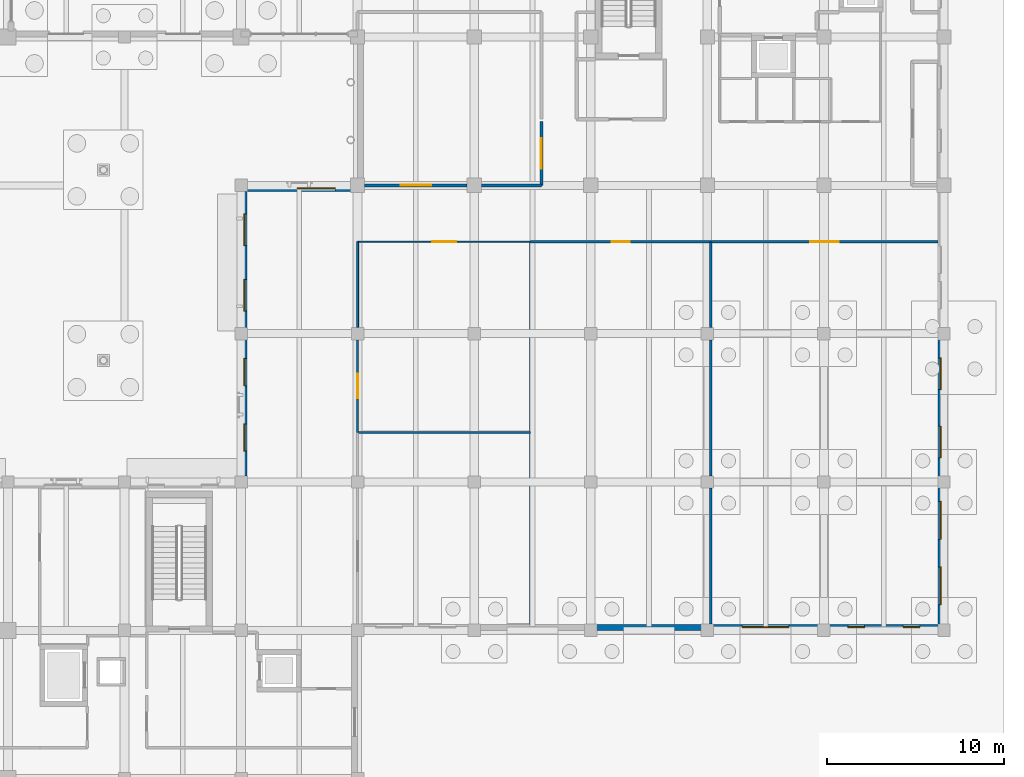
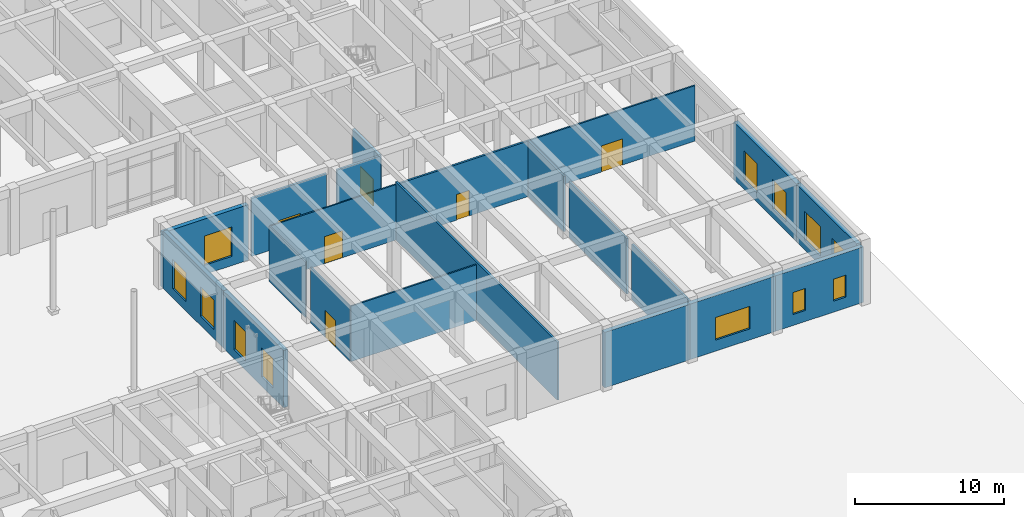
# One storey, part 60 of 82: 21 walls, 12 windows, 6 doors, 18 openings.
"""IFC4 building model written with IfcOpenShell, lengths in metres."""

from ifc_helpers import new_model, si_unit, direction, frame, frame_2d, origin, place, context, subcontext, project, spatial, rectangle, extrude, material, layer, layer_set, type_object, element, fill, save


model = new_model("IFC4")

# Units and contexts
model_context = context("Model", 3, precision=1e-05, world=origin(), true_north=direction((0.0, 1.0)))
body_context = subcontext(model_context, "Body", "Model", "MODEL_VIEW")
ifc_project = project(units=[si_unit("LENGTHUNIT", "METRE"), si_unit("AREAUNIT", "SQUARE_METRE"), si_unit("VOLUMEUNIT", "CUBIC_METRE"), si_unit("PLANEANGLEUNIT", "RADIAN"), si_unit("MASSUNIT", "GRAM", prefix="KILO")], contexts=[model_context])

# Site, building, storey
site_placement = place(None, origin())
site = spatial("IfcSite", under=ifc_project, at=site_placement, CompositionType="ELEMENT")
building_placement = place(site_placement, origin())
building = spatial("IfcBuilding", under=site, at=building_placement, Name="Kolvaren Faculty of Natural Sciences", CompositionType="ELEMENT")
storey_placement = place(building_placement, origin())
storey = spatial("IfcBuildingStorey", under=building, at=storey_placement, Name="L00", CompositionType="ELEMENT", Elevation=0.0)

# Wall, openings, windows
ifc_material_1 = material(Name="Sandstone-faced insulated cavity masonry", Category="masonry")
ifc_layer_1 = layer(ifc_material_1, 0.340087890625)
ifc_layer_set_1 = layer_set([ifc_layer_1], Name="Sandstone-faced insulated cavity masonry")
wall_type_1 = type_object("IfcWallType", Name="ExteriorCavityWall_340", PredefinedType="STANDARD", material=ifc_layer_set_1)
wall_1_placement = place(storey_placement, frame((132.3701171875, 42.5400390625, 0.0), z_axis=(0.0, 0.0, 1.0), x_axis=(0.0, 1.0, 0.0)))
wall_1 = element("IfcWall", 1, at=wall_1_placement, inside=storey, type_object=wall_type_1, Name="L00 exterior masonry wall EW-340 (87)", PredefinedType="STANDARD", context=body_context, shape_type="SweptSolid", body=[
    extrude(rectangle(XDim=8.06005859375, YDim=0.340087890625, at=frame_2d((4.030029296875, 0.0))), origin(), (0.0, 0.0, 1.0), 4.68505859375),
])
opening_1_placement = place(wall_1_placement, frame((1.401123046875, 0.0, 0.75)))
opening_1 = element("IfcOpeningElement", 2, at=opening_1_placement, cuts=wall_1, Name="Opening WIN-20", PredefinedType="OPENING", context=body_context, shape_type="SweptSolid", body=[
    extrude(rectangle(XDim=1.550048828125, YDim=2.39990234375, at=frame_2d((0.77490234375, 1.199951171875))), frame((0.0, 0.179931640625, 0.0), z_axis=(0.0, -1.0, 0.0), x_axis=(1.0, 0.0, 0.0)), (0.0, 0.0, 1.0), 0.360107421875),
])
opening_2_placement = place(wall_1_placement, frame((5.10888671875, 0.0, 0.75)))
opening_2 = element("IfcOpeningElement", 3, at=opening_2_placement, cuts=wall_1, Name="Opening WIN-20", PredefinedType="OPENING", context=body_context, shape_type="SweptSolid", body=[
    extrude(rectangle(XDim=1.550048828125, YDim=2.39990234375, at=frame_2d((0.77490234375, 1.199951171875))), frame((0.0, 0.179931640625, 0.0), z_axis=(0.0, -1.0, 0.0), x_axis=(1.0, 0.0, 0.0)), (0.0, 0.0, 1.0), 0.360107421875),
])
ifc_material_2 = material(Name="Double low-E solar control insulated glazing", Category="glass")
window_type_1 = type_object("IfcWindowType", Name="AluWindow_WIN20_1550x2400", PartitioningType="SINGLE_PANEL", PredefinedType="WINDOW", material=ifc_material_2)
window_1_placement = place(opening_1_placement, origin())
window_1 = element("IfcWindow", 4, at=window_1_placement, inside=storey, type_object=window_type_1, Name="WIN-L00-0080", OverallHeight=2.39990234375, OverallWidth=1.550048828125, PartitioningType="SINGLE_PANEL", PredefinedType="WINDOW", context=body_context, shape_type="SweptSolid", body=[
    extrude(rectangle(XDim=1.550048828125, YDim=2.39990234375, at=frame_2d((0.77490234375, 1.199951171875))), frame((0.0, 0.030029296875, 0.0), z_axis=(0.0, -1.0, 0.0), x_axis=(1.0, 0.0, 0.0)), (0.0, 0.0, 1.0), 0.06005859375),
])
fill(opening_1, window_1)
window_2_placement = place(opening_2_placement, origin())
window_2 = element("IfcWindow", 5, at=window_2_placement, inside=storey, type_object=window_type_1, Name="WIN-L00-0081", OverallHeight=2.39990234375, OverallWidth=1.550048828125, PartitioningType="SINGLE_PANEL", PredefinedType="WINDOW", context=body_context, shape_type="SweptSolid", body=[
    extrude(rectangle(XDim=1.550048828125, YDim=2.39990234375, at=frame_2d((0.77490234375, 1.199951171875))), frame((0.0, 0.030029296875, 0.0), z_axis=(0.0, -1.0, 0.0), x_axis=(1.0, 0.0, 0.0)), (0.0, 0.0, 1.0), 0.06005859375),
])
fill(opening_2, window_2)

wall_2_placement = place(storey_placement, frame((132.3701171875, 50.60009765625, 0.0), z_axis=(0.0, 0.0, 1.0), x_axis=(0.0, 1.0, 0.0)))
wall_2 = element("IfcWall", 6, at=wall_2_placement, inside=storey, type_object=wall_type_1, Name="L00 exterior masonry wall EW-340 (88)", PredefinedType="STANDARD", context=body_context, shape_type="SweptSolid", body=[
    extrude(rectangle(XDim=8.059814453125, YDim=0.340087890625, at=frame_2d((4.02978515625, 0.0))), origin(), (0.0, 0.0, 1.0), 4.68505859375),
])
opening_3_placement = place(wall_2_placement, frame((1.276123046875, 0.0, 0.75)))
opening_3 = element("IfcOpeningElement", 7, at=opening_3_placement, cuts=wall_2, Name="Opening WIN-21", PredefinedType="OPENING", context=body_context, shape_type="SweptSolid", body=[
    extrude(rectangle(XDim=1.800048828125, YDim=2.39990234375, at=frame_2d((0.89990234375, 1.199951171875))), frame((0.0, 0.179931640625, 0.0), z_axis=(0.0, -1.0, 0.0), x_axis=(1.0, 0.0, 0.0)), (0.0, 0.0, 1.0), 0.360107421875),
])
opening_4_placement = place(wall_2_placement, frame((4.98388671875, 0.0, 0.75)))
opening_4 = element("IfcOpeningElement", 8, at=opening_4_placement, cuts=wall_2, Name="Opening WIN-21", PredefinedType="OPENING", context=body_context, shape_type="SweptSolid", body=[
    extrude(rectangle(XDim=1.800048828125, YDim=2.39990234375, at=frame_2d((0.89990234375, 1.199951171875))), frame((0.0, 0.179931640625, 0.0), z_axis=(0.0, -1.0, 0.0), x_axis=(1.0, 0.0, 0.0)), (0.0, 0.0, 1.0), 0.360107421875),
])
window_type_2 = type_object("IfcWindowType", Name="AluWindow_WIN21_1800x2400", PartitioningType="SINGLE_PANEL", PredefinedType="WINDOW", material=ifc_material_2)
window_3_placement = place(opening_3_placement, origin())
window_3 = element("IfcWindow", 9, at=window_3_placement, inside=storey, type_object=window_type_2, Name="WIN-L00-0082", OverallHeight=2.39990234375, OverallWidth=1.800048828125, PartitioningType="SINGLE_PANEL", PredefinedType="WINDOW", context=body_context, shape_type="SweptSolid", body=[
    extrude(rectangle(XDim=1.800048828125, YDim=2.39990234375, at=frame_2d((0.89990234375, 1.199951171875))), frame((0.0, 0.030029296875, 0.0), z_axis=(0.0, -1.0, 0.0), x_axis=(1.0, 0.0, 0.0)), (0.0, 0.0, 1.0), 0.06005859375),
])
fill(opening_3, window_3)
window_4_placement = place(opening_4_placement, origin())
window_4 = element("IfcWindow", 10, at=window_4_placement, inside=storey, type_object=window_type_2, Name="WIN-L00-0083", OverallHeight=2.39990234375, OverallWidth=1.800048828125, PartitioningType="SINGLE_PANEL", PredefinedType="WINDOW", context=body_context, shape_type="SweptSolid", body=[
    extrude(rectangle(XDim=1.800048828125, YDim=2.39990234375, at=frame_2d((0.89990234375, 1.199951171875))), frame((0.0, 0.030029296875, 0.0), z_axis=(0.0, -1.0, 0.0), x_axis=(1.0, 0.0, 0.0)), (0.0, 0.0, 1.0), 0.06005859375),
])
fill(opening_4, window_4)

# Wall, opening, window
wall_3_placement = place(storey_placement, frame((132.199951171875, 58.830078125, 0.0), z_axis=(0.0, 0.0, 1.0), x_axis=(1.0, 0.0, 0.0)))
wall_3 = element("IfcWall", 11, at=wall_3_placement, inside=storey, type_object=wall_type_1, Name="L00 exterior masonry wall EW-340 (89)", PredefinedType="STANDARD", context=body_context, shape_type="SweptSolid", body=[
    extrude(rectangle(XDim=6.60009765625, YDim=0.340087890625, at=frame_2d((3.300048828125, 0.0))), origin(), (0.0, 0.0, 1.0), 4.534912109375),
])
opening_5_placement = place(wall_3_placement, frame((3.18994140625, 0.0, 0.75)))
opening_5 = element("IfcOpeningElement", 12, at=opening_5_placement, cuts=wall_3, Name="Opening WIN-22", PredefinedType="OPENING", context=body_context, shape_type="SweptSolid", body=[
    extrude(rectangle(XDim=2.14990234375, YDim=2.39990234375, at=frame_2d((1.074951171875, 1.199951171875))), frame((0.0, 0.179931640625, 0.0), z_axis=(0.0, -1.0, 0.0), x_axis=(1.0, 0.0, 0.0)), (0.0, 0.0, 1.0), 0.360107421875),
])
window_type_3 = type_object("IfcWindowType", Name="AluWindow_WIN22_2150x2400", PartitioningType="SINGLE_PANEL", PredefinedType="WINDOW", material=ifc_material_2)
window_5_placement = place(opening_5_placement, origin())
window_5 = element("IfcWindow", 13, at=window_5_placement, inside=storey, type_object=window_type_3, Name="WIN-L00-0084", OverallHeight=2.39990234375, OverallWidth=2.14990234375, PartitioningType="SINGLE_PANEL", PredefinedType="WINDOW", context=body_context, shape_type="SweptSolid", body=[
    extrude(rectangle(XDim=2.14990234375, YDim=2.39990234375, at=frame_2d((1.074951171875, 1.199951171875))), frame((0.0, 0.030029296875, 0.0), z_axis=(0.0, -1.0, 0.0), x_axis=(1.0, 0.0, 0.0)), (0.0, 0.0, 1.0), 0.06005859375),
])
fill(opening_5, window_5)

# Wall, openings, windows
wall_4_placement = place(storey_placement, frame((171.830078125, 50.60009765625, 0.0), z_axis=(0.0, 0.0, 1.0), x_axis=(0.0, -1.0, 0.0)))
wall_4 = element("IfcWall", 14, at=wall_4_placement, inside=storey, type_object=wall_type_1, Name="L00 exterior masonry wall EW-340 (122)", PredefinedType="STANDARD", context=body_context, shape_type="SweptSolid", body=[
    extrude(rectangle(XDim=8.400146484375, YDim=0.340087890625, at=frame_2d((4.2001953125, 0.0))), origin(), (0.0, 0.0, 1.0), 4.68505859375),
])
opening_6_placement = place(wall_4_placement, frame((1.367919921875, 0.0, 0.75)))
opening_6 = element("IfcOpeningElement", 15, at=opening_6_placement, cuts=wall_4, Name="Opening WIN-21", PredefinedType="OPENING", context=body_context, shape_type="SweptSolid", body=[
    extrude(rectangle(XDim=1.800048828125, YDim=2.39990234375, at=frame_2d((0.89990234375, 1.199951171875))), frame((0.0, 0.179931640625, 0.0), z_axis=(0.0, -1.0, 0.0), x_axis=(1.0, 0.0, 0.0)), (0.0, 0.0, 1.0), 0.360107421875),
])
opening_7_placement = place(wall_4_placement, frame((5.23193359375, 0.0, 0.75)))
opening_7 = element("IfcOpeningElement", 16, at=opening_7_placement, cuts=wall_4, Name="Opening WIN-21", PredefinedType="OPENING", context=body_context, shape_type="SweptSolid", body=[
    extrude(rectangle(XDim=1.800048828125, YDim=2.39990234375, at=frame_2d((0.89990234375, 1.199951171875))), frame((0.0, 0.179931640625, 0.0), z_axis=(0.0, -1.0, 0.0), x_axis=(1.0, 0.0, 0.0)), (0.0, 0.0, 1.0), 0.360107421875),
])
window_6_placement = place(opening_6_placement, origin())
window_6 = element("IfcWindow", 17, at=window_6_placement, inside=storey, type_object=window_type_2, Name="WIN-L00-0117", OverallHeight=2.39990234375, OverallWidth=1.800048828125, PartitioningType="SINGLE_PANEL", PredefinedType="WINDOW", context=body_context, shape_type="SweptSolid", body=[
    extrude(rectangle(XDim=1.800048828125, YDim=2.39990234375, at=frame_2d((0.89990234375, 1.199951171875))), frame((0.0, 0.030029296875, 0.0), z_axis=(0.0, -1.0, 0.0), x_axis=(1.0, 0.0, 0.0)), (0.0, 0.0, 1.0), 0.06005859375),
])
fill(opening_6, window_6)
window_7_placement = place(opening_7_placement, origin())
window_7 = element("IfcWindow", 18, at=window_7_placement, inside=storey, type_object=window_type_2, Name="WIN-L00-0118", OverallHeight=2.39990234375, OverallWidth=1.800048828125, PartitioningType="SINGLE_PANEL", PredefinedType="WINDOW", context=body_context, shape_type="SweptSolid", body=[
    extrude(rectangle(XDim=1.800048828125, YDim=2.39990234375, at=frame_2d((0.89990234375, 1.199951171875))), frame((0.0, 0.030029296875, 0.0), z_axis=(0.0, -1.0, 0.0), x_axis=(1.0, 0.0, 0.0)), (0.0, 0.0, 1.0), 0.06005859375),
])
fill(opening_7, window_7)

wall_5_placement = place(storey_placement, frame((171.830078125, 42.199951171875, 0.0), z_axis=(0.0, 0.0, 1.0), x_axis=(0.0, -1.0, 0.0)))
wall_5 = element("IfcWall", 19, at=wall_5_placement, inside=storey, type_object=wall_type_1, Name="L00 exterior masonry wall EW-340 (123)", PredefinedType="STANDARD", context=body_context, shape_type="SweptSolid", body=[
    extrude(rectangle(XDim=8.06005859375, YDim=0.340087890625, at=frame_2d((4.030029296875, 0.0))), origin(), (0.0, 0.0, 1.0), 4.68505859375),
])
opening_8_placement = place(wall_5_placement, frame((1.101318359375, 0.0, 0.75)))
opening_8 = element("IfcOpeningElement", 20, at=opening_8_placement, cuts=wall_5, Name="Opening WIN-22", PredefinedType="OPENING", context=body_context, shape_type="SweptSolid", body=[
    extrude(rectangle(XDim=2.14990234375, YDim=2.39990234375, at=frame_2d((1.074951171875, 1.199951171875))), frame((0.0, 0.179931640625, 0.0), z_axis=(0.0, -1.0, 0.0), x_axis=(1.0, 0.0, 0.0)), (0.0, 0.0, 1.0), 0.360107421875),
])
opening_9_placement = place(wall_5_placement, frame((4.808837890625, 0.0, 0.75)))
opening_9 = element("IfcOpeningElement", 21, at=opening_9_placement, cuts=wall_5, Name="Opening WIN-22", PredefinedType="OPENING", context=body_context, shape_type="SweptSolid", body=[
    extrude(rectangle(XDim=2.14990234375, YDim=2.39990234375, at=frame_2d((1.074951171875, 1.199951171875))), frame((0.0, 0.179931640625, 0.0), z_axis=(0.0, -1.0, 0.0), x_axis=(1.0, 0.0, 0.0)), (0.0, 0.0, 1.0), 0.360107421875),
])
window_8_placement = place(opening_8_placement, origin())
window_8 = element("IfcWindow", 22, at=window_8_placement, inside=storey, type_object=window_type_3, Name="WIN-L00-0119", OverallHeight=2.39990234375, OverallWidth=2.14990234375, PartitioningType="SINGLE_PANEL", PredefinedType="WINDOW", context=body_context, shape_type="SweptSolid", body=[
    extrude(rectangle(XDim=2.14990234375, YDim=2.39990234375, at=frame_2d((1.074951171875, 1.199951171875))), frame((0.0, 0.030029296875, 0.0), z_axis=(0.0, -1.0, 0.0), x_axis=(1.0, 0.0, 0.0)), (0.0, 0.0, 1.0), 0.06005859375),
])
fill(opening_8, window_8)
window_9_placement = place(opening_9_placement, origin())
window_9 = element("IfcWindow", 23, at=window_9_placement, inside=storey, type_object=window_type_3, Name="WIN-L00-0120", OverallHeight=2.39990234375, OverallWidth=2.14990234375, PartitioningType="SINGLE_PANEL", PredefinedType="WINDOW", context=body_context, shape_type="SweptSolid", body=[
    extrude(rectangle(XDim=2.14990234375, YDim=2.39990234375, at=frame_2d((1.074951171875, 1.199951171875))), frame((0.0, 0.030029296875, 0.0), z_axis=(0.0, -1.0, 0.0), x_axis=(1.0, 0.0, 0.0)), (0.0, 0.0, 1.0), 0.06005859375),
])
fill(opening_9, window_9)

wall_6_placement = place(storey_placement, frame((172.0, 33.969970703125, 0.0), z_axis=(0.0, 0.0, 1.0), x_axis=(-1.0, 0.0, 0.0)))
wall_6 = element("IfcWall", 24, at=wall_6_placement, inside=storey, type_object=wall_type_1, Name="L00 exterior masonry wall EW-340 (124)", PredefinedType="STANDARD", context=body_context, shape_type="SweptSolid", body=[
    extrude(rectangle(XDim=6.800048828125, YDim=0.340087890625, at=frame_2d((3.39990234375, 0.0))), origin(), (0.0, 0.0, 1.0), 4.534912109375),
])
opening_10_placement = place(wall_6_placement, frame((1.361083984375, 0.0, 0.89990234375)))
opening_10 = element("IfcOpeningElement", 25, at=opening_10_placement, cuts=wall_6, Name="Opening WIN-23", PredefinedType="OPENING", context=body_context, shape_type="SweptSolid", body=[
    extrude(rectangle(XDim=0.949951171875, YDim=1.800048828125, at=frame_2d((0.47509765625, 0.89990234375))), frame((0.0, 0.179931640625, 0.0), z_axis=(0.0, -1.0, 0.0), x_axis=(1.0, 0.0, 0.0)), (0.0, 0.0, 1.0), 0.360107421875),
])
opening_11_placement = place(wall_6_placement, frame((4.489013671875, 0.0, 0.89990234375)))
opening_11 = element("IfcOpeningElement", 26, at=opening_11_placement, cuts=wall_6, Name="Opening WIN-23", PredefinedType="OPENING", context=body_context, shape_type="SweptSolid", body=[
    extrude(rectangle(XDim=0.949951171875, YDim=1.800048828125, at=frame_2d((0.47509765625, 0.89990234375))), frame((0.0, 0.179931640625, 0.0), z_axis=(0.0, -1.0, 0.0), x_axis=(1.0, 0.0, 0.0)), (0.0, 0.0, 1.0), 0.360107421875),
])
window_type_4 = type_object("IfcWindowType", Name="AluWindow_WIN23_950x1800", PartitioningType="SINGLE_PANEL", PredefinedType="WINDOW", material=ifc_material_2)
window_10_placement = place(opening_10_placement, origin())
window_10 = element("IfcWindow", 27, at=window_10_placement, inside=storey, type_object=window_type_4, Name="WIN-L00-0121", OverallHeight=1.800048828125, OverallWidth=0.949951171875, PartitioningType="SINGLE_PANEL", PredefinedType="WINDOW", context=body_context, shape_type="SweptSolid", body=[
    extrude(rectangle(XDim=0.949951171875, YDim=1.800048828125, at=frame_2d((0.47509765625, 0.89990234375))), frame((0.0, 0.030029296875, 0.0), z_axis=(0.0, -1.0, 0.0), x_axis=(1.0, 0.0, 0.0)), (0.0, 0.0, 1.0), 0.06005859375),
])
fill(opening_10, window_10)
window_11_placement = place(opening_11_placement, origin())
window_11 = element("IfcWindow", 28, at=window_11_placement, inside=storey, type_object=window_type_4, Name="WIN-L00-0122", OverallHeight=1.800048828125, OverallWidth=0.949951171875, PartitioningType="SINGLE_PANEL", PredefinedType="WINDOW", context=body_context, shape_type="SweptSolid", body=[
    extrude(rectangle(XDim=0.949951171875, YDim=1.800048828125, at=frame_2d((0.47509765625, 0.89990234375))), frame((0.0, 0.030029296875, 0.0), z_axis=(0.0, -1.0, 0.0), x_axis=(1.0, 0.0, 0.0)), (0.0, 0.0, 1.0), 0.06005859375),
])
fill(opening_11, window_11)

# Wall, opening, window
wall_7_placement = place(storey_placement, frame((165.199951171875, 33.969970703125, 0.0), z_axis=(0.0, 0.0, 1.0), x_axis=(-1.0, 0.0, 0.0)))
wall_7 = element("IfcWall", 29, at=wall_7_placement, inside=storey, type_object=wall_type_1, Name="L00 exterior masonry wall EW-340 (125)", PredefinedType="STANDARD", context=body_context, shape_type="SweptSolid", body=[
    extrude(rectangle(XDim=6.599853515625, YDim=0.340087890625, at=frame_2d((3.2998046875, 0.0))), origin(), (0.0, 0.0, 1.0), 4.534912109375),
])
opening_12_placement = place(wall_7_placement, frame((1.97509765625, 0.0, 0.89990234375)))
opening_12 = element("IfcOpeningElement", 30, at=opening_12_placement, cuts=wall_7, Name="Opening WIN-24", PredefinedType="OPENING", context=body_context, shape_type="SweptSolid", body=[
    extrude(rectangle(XDim=2.64990234375, YDim=1.85009765625, at=frame_2d((1.324951171875, 0.925048828125))), frame((0.0, 0.179931640625, 0.0), z_axis=(0.0, -1.0, 0.0), x_axis=(1.0, 0.0, 0.0)), (0.0, 0.0, 1.0), 0.360107421875),
])
window_type_5 = type_object("IfcWindowType", Name="AluWindow_WIN24_2650x1850", PartitioningType="SINGLE_PANEL", PredefinedType="WINDOW", material=ifc_material_2)
window_12_placement = place(opening_12_placement, origin())
window_12 = element("IfcWindow", 31, at=window_12_placement, inside=storey, type_object=window_type_5, Name="WIN-L00-0123", OverallHeight=1.85009765625, OverallWidth=2.64990234375, PartitioningType="SINGLE_PANEL", PredefinedType="WINDOW", context=body_context, shape_type="SweptSolid", body=[
    extrude(rectangle(XDim=2.64990234375, YDim=1.85009765625, at=frame_2d((1.324951171875, 0.925048828125))), frame((0.0, 0.030029296875, 0.0), z_axis=(0.0, -1.0, 0.0), x_axis=(1.0, 0.0, 0.0)), (0.0, 0.0, 1.0), 0.06005859375),
])
fill(opening_12, window_12)

# Walls
wall_8_placement = place(storey_placement, frame((158.60009765625, 33.969970703125, 0.0), z_axis=(0.0, 0.0, 1.0), x_axis=(-1.0, 0.0, 0.0)))
element("IfcWall", 32, at=wall_8_placement, inside=storey, type_object=wall_type_1, Name="L00 exterior masonry wall EW-340 (126)", PredefinedType="STANDARD", context=body_context, shape_type="SweptSolid", body=[
    extrude(rectangle(XDim=6.60009765625, YDim=0.340087890625, at=frame_2d((3.300048828125, 0.0))), origin(), (0.0, 0.0, 1.0), 4.534912109375),
])
ifc_material_3 = material(Name="Double fire-rated gypsum board on 100 mm steel stud", Category="steel")
ifc_layer_2 = layer(ifc_material_3, 0.14990234375)
ifc_layer_set_2 = layer_set([ifc_layer_2], Name="Double fire-rated gypsum board on 100 mm steel stud")
wall_type_2 = type_object("IfcWallType", Name="RatedCorridorWall_150", PredefinedType="PARTITIONING", material=ifc_layer_set_2)
wall_9_placement = place(storey_placement, frame((158.800048828125, 55.800048828125, 0.0), z_axis=(0.0, 0.0, 1.0), x_axis=(0.0, -1.0, 0.0)))
element("IfcWall", 33, at=wall_9_placement, inside=storey, type_object=wall_type_2, Name="L00 interior partition LW-150", PredefinedType="PARTITIONING", context=body_context, shape_type="SweptSolid", body=[
    extrude(rectangle(XDim=4.85009765625, YDim=0.14990234375, at=frame_2d((2.425048828125, 0.0))), origin(), (0.0, 0.0, 1.0), 4.534912109375),
])
wall_10_placement = place(storey_placement, frame((158.800048828125, 50.25, 0.0), z_axis=(0.0, 0.0, 1.0), x_axis=(0.0, -1.0, 0.0)))
element("IfcWall", 34, at=wall_10_placement, inside=storey, type_object=wall_type_2, Name="L00 interior partition LW-150", PredefinedType="PARTITIONING", context=body_context, shape_type="SweptSolid", body=[
    extrude(rectangle(XDim=7.699951171875, YDim=0.14990234375, at=frame_2d((3.85009765625, 0.0))), origin(), (0.0, 0.0, 1.0), 4.534912109375),
])
wall_11_placement = place(storey_placement, frame((158.800048828125, 41.85009765625, 0.0), z_axis=(0.0, 0.0, 1.0), x_axis=(0.0, -1.0, 0.0)))
element("IfcWall", 35, at=wall_11_placement, inside=storey, type_object=wall_type_2, Name="L00 interior partition LW-150", PredefinedType="PARTITIONING", context=body_context, shape_type="SweptSolid", body=[
    extrude(rectangle(XDim=7.7001953125, YDim=0.14990234375, at=frame_2d((3.85009765625, 0.0))), origin(), (0.0, 0.0, 1.0), 4.534912109375),
])
wall_12_placement = place(storey_placement, frame((148.60009765625, 34.14208984375, 0.0), z_axis=(0.0, 0.0, 1.0), x_axis=(0.0, 1.0, 0.0)))
element("IfcWall", 36, at=wall_12_placement, inside=storey, type_object=wall_type_2, Name="L00 interior partition LW-150", PredefinedType="PARTITIONING", context=body_context, shape_type="SweptSolid", body=[
    extrude(rectangle(XDim=21.657958984375, YDim=0.14990234375, at=frame_2d((10.8291015625, 0.0))), origin(), (0.0, 0.0, 1.0), 4.735107421875),
])

# Wall, opening, door
wall_13_placement = place(storey_placement, frame((148.60009765625, 55.800048828125, 0.0), z_axis=(0.0, 0.0, 1.0), x_axis=(1.0, 0.0, 0.0)))
wall_13 = element("IfcWall", 37, at=wall_13_placement, inside=storey, type_object=wall_type_2, Name="L00 interior partition LW-150", PredefinedType="PARTITIONING", context=body_context, shape_type="SweptSolid", body=[
    extrude(rectangle(XDim=10.199951171875, YDim=0.14990234375, at=frame_2d((5.10009765625, 0.0))), origin(), (0.0, 0.0, 1.0), 4.534912109375),
])
opening_13_placement = place(wall_13_placement, frame((4.60009765625, 0.0, 0.0)))
opening_13 = element("IfcOpeningElement", 38, at=opening_13_placement, cuts=wall_13, Name="Opening FD30", PredefinedType="OPENING", context=body_context, shape_type="SweptSolid", body=[
    extrude(rectangle(XDim=1.0, YDim=2.10009765625, at=frame_2d((0.5, 1.050048828125))), frame((0.0, 0.0849609375, 0.0), z_axis=(0.0, -1.0, 0.0), x_axis=(1.0, 0.0, 0.0)), (0.0, 0.0, 1.0), 0.169921875),
])
ifc_material_4 = material(Name="Fire-rated solid-core hardwood door leaf in steel frame", Category="steel")
door_type_1 = type_object("IfcDoorType", Name="CorridorFireDoor_1000x2100", OperationType="NOTDEFINED", PredefinedType="DOOR", material=ifc_material_4)
door_1_placement = place(opening_13_placement, origin())
door_1 = element("IfcDoor", 39, at=door_1_placement, inside=storey, type_object=door_type_1, Name="D-L00-0036", OperationType="SINGLE_SWING_LEFT", OverallHeight=2.10009765625, OverallWidth=1.0, PredefinedType="DOOR", context=body_context, shape_type="SweptSolid", body=[
    extrude(rectangle(XDim=1.0, YDim=2.10009765625, at=frame_2d((0.5, 1.050048828125))), frame((0.0, 0.02490234375, 0.0), z_axis=(0.0, -1.0, 0.0), x_axis=(1.0, 0.0, 0.0)), (0.0, 0.0, 1.0), 0.050048828125),
])
fill(opening_13, door_1)

ifc_material_5 = material(Name="Acoustic mineral-wool insulated gypsum partition")
ifc_layer_3 = layer(ifc_material_5, 0.169921875)
ifc_layer_set_3 = layer_set([ifc_layer_3], Name="Acoustic mineral-wool insulated gypsum partition")
wall_type_3 = type_object("IfcWallType", Name="SeminarPartitionWall_170", PredefinedType="PARTITIONING", material=ifc_layer_set_3)
wall_14_placement = place(storey_placement, frame((149.199951171875, 62.60009765625, 0.0), z_axis=(0.0, 0.0, 1.0), x_axis=(0.0, -1.0, 0.0)))
wall_14 = element("IfcWall", 40, at=wall_14_placement, inside=storey, type_object=wall_type_3, Name="L00 interior partition PW-170", PredefinedType="PARTITIONING", context=body_context, shape_type="SweptSolid", body=[
    extrude(rectangle(XDim=3.60009765625, YDim=0.169921875, at=frame_2d((1.800048828125, 0.0))), origin(), (0.0, 0.0, 1.0), 4.735107421875),
])
opening_14_placement = place(wall_14_placement, frame((0.929931640625, 0.0, 0.0)))
opening_14 = element("IfcOpeningElement", 41, at=opening_14_placement, cuts=wall_14, Name="Opening ID-35", PredefinedType="OPENING", context=body_context, shape_type="SweptSolid", body=[
    extrude(rectangle(XDim=1.739990234375, YDim=2.199951171875, at=frame_2d((0.8701171875, 1.10009765625))), frame((0.0, 0.094970703125, 0.0), z_axis=(0.0, -1.0, 0.0), x_axis=(1.0, 0.0, 0.0)), (0.0, 0.0, 1.0), 0.18994140625),
])
ifc_material_6 = material(Name="Thermally broken anodised aluminium glazed door", Category="aluminium")
door_type_2 = type_object("IfcDoorType", Name="InteriorRoomDoor_1740x2200", OperationType="DOUBLE_DOOR_SINGLE_SWING", PredefinedType="DOOR", material=ifc_material_6)
door_2_placement = place(opening_14_placement, origin())
door_2 = element("IfcDoor", 42, at=door_2_placement, inside=storey, type_object=door_type_2, Name="D-L00-0099", OperationType="DOUBLE_DOOR_SINGLE_SWING", OverallHeight=2.199951171875, OverallWidth=1.739990234375, PredefinedType="DOOR", context=body_context, shape_type="SweptSolid", body=[
    extrude(rectangle(XDim=1.739990234375, YDim=2.199951171875, at=frame_2d((0.8701171875, 1.10009765625))), frame((0.0, 0.02490234375, 0.0), z_axis=(0.0, -1.0, 0.0), x_axis=(1.0, 0.0, 0.0)), (0.0, 0.0, 1.0), 0.050048828125),
])
fill(opening_14, door_2)

# Wall
wall_15_placement = place(storey_placement, frame((149.199951171875, 59.0, 0.0), z_axis=(0.0, 0.0, 1.0), x_axis=(-1.0, 0.0, 0.0)))
element("IfcWall", 43, at=wall_15_placement, inside=storey, type_object=wall_type_3, Name="L00 interior partition PW-170", PredefinedType="PARTITIONING", context=body_context, shape_type="SweptSolid", body=[
    extrude(rectangle(XDim=3.39990234375, YDim=0.169921875, at=frame_2d((1.699951171875, 0.0))), origin(), (0.0, 0.0, 1.0), 4.735107421875),
])

# Wall, opening, door
wall_16_placement = place(storey_placement, frame((145.0, 59.0, 0.0), z_axis=(0.0, 0.0, 1.0), x_axis=(-1.0, 0.0, 0.0)))
wall_16 = element("IfcWall", 44, at=wall_16_placement, inside=storey, type_object=wall_type_3, Name="L00 interior partition PW-170", PredefinedType="PARTITIONING", context=body_context, shape_type="SweptSolid", body=[
    extrude(rectangle(XDim=5.800048828125, YDim=0.169921875, at=frame_2d((2.89990234375, 0.0))), origin(), (0.0, 0.0, 1.0), 4.735107421875),
])
opening_15_placement = place(wall_16_placement, frame((2.030029296875, 0.0, 0.0)))
opening_15 = element("IfcOpeningElement", 45, at=opening_15_placement, cuts=wall_16, Name="Opening ID-35", PredefinedType="OPENING", context=body_context, shape_type="SweptSolid", body=[
    extrude(rectangle(XDim=1.739990234375, YDim=2.199951171875, at=frame_2d((0.8701171875, 1.10009765625))), frame((0.0, 0.094970703125, 0.0), z_axis=(0.0, -1.0, 0.0), x_axis=(1.0, 0.0, 0.0)), (0.0, 0.0, 1.0), 0.18994140625),
])
door_3_placement = place(opening_15_placement, origin())
door_3 = element("IfcDoor", 46, at=door_3_placement, inside=storey, type_object=door_type_2, Name="D-L00-0098", OperationType="DOUBLE_DOOR_SINGLE_SWING", OverallHeight=2.199951171875, OverallWidth=1.739990234375, PredefinedType="DOOR", context=body_context, shape_type="SweptSolid", body=[
    extrude(rectangle(XDim=1.739990234375, YDim=2.199951171875, at=frame_2d((0.8701171875, 1.10009765625))), frame((0.0, 0.02490234375, 0.0), z_axis=(0.0, -1.0, 0.0), x_axis=(1.0, 0.0, 0.0)), (0.0, 0.0, 1.0), 0.050048828125),
])
fill(opening_15, door_3)

# Wall
ifc_layer_4 = layer(ifc_material_5, 0.114990234375)
ifc_layer_set_4 = layer_set([ifc_layer_4], Name="Acoustic mineral-wool insulated gypsum partition")
wall_type_4 = type_object("IfcWallType", Name="StorePartitionWall_115", PredefinedType="PARTITIONING", material=ifc_layer_set_4)
wall_17_placement = place(storey_placement, frame((138.800048828125, 45.0, 0.0), z_axis=(0.0, 0.0, 1.0), x_axis=(1.0, 0.0, 0.0)))
element("IfcWall", 47, at=wall_17_placement, inside=storey, type_object=wall_type_4, Name="L00 interior partition PW-115", PredefinedType="PARTITIONING", context=body_context, shape_type="SweptSolid", body=[
    extrude(rectangle(XDim=9.800048828125, YDim=0.114990234375, at=frame_2d((4.89990234375, 0.0))), origin(), (0.0, 0.0, 1.0), 4.534912109375),
])

# Wall, opening, door
ifc_layer_5 = layer(ifc_material_5, 0.1201171875)
ifc_layer_set_5 = layer_set([ifc_layer_5], Name="Acoustic mineral-wool insulated gypsum partition")
wall_type_5 = type_object("IfcWallType", Name="StudioPartitionWall_120", PredefinedType="PARTITIONING", material=ifc_layer_set_5)
wall_18_placement = place(storey_placement, frame((158.800048828125, 55.800048828125, 0.0), z_axis=(0.0, 0.0, 1.0), x_axis=(1.0, 0.0, 0.0)))
wall_18 = element("IfcWall", 48, at=wall_18_placement, inside=storey, type_object=wall_type_5, Name="L00 interior partition PW-120", PredefinedType="PARTITIONING", context=body_context, shape_type="SweptSolid", body=[
    extrude(rectangle(XDim=12.85791015625, YDim=0.1201171875, at=frame_2d((6.428955078125, 0.0))), origin(), (0.0, 0.0, 1.0), 4.534912109375),
])
opening_16_placement = place(wall_18_placement, frame((5.618896484375, 0.0, 0.0)))
opening_16 = element("IfcOpeningElement", 49, at=opening_16_placement, cuts=wall_18, Name="Opening ID-29", PredefinedType="OPENING", context=body_context, shape_type="SweptSolid", body=[
    extrude(rectangle(XDim=1.6201171875, YDim=2.139892578125, at=frame_2d((0.81005859375, 1.06982421875))), frame((0.0, 0.070068359375, 0.0), z_axis=(0.0, -1.0, 0.0), x_axis=(1.0, 0.0, 0.0)), (0.0, 0.0, 1.0), 0.14013671875),
])
door_type_3 = type_object("IfcDoorType", Name="InteriorRoomDoor_1620x2140", OperationType="DOUBLE_DOOR_SINGLE_SWING", PredefinedType="DOOR", material=ifc_material_6)
door_4_placement = place(opening_16_placement, origin())
door_4 = element("IfcDoor", 50, at=door_4_placement, inside=storey, type_object=door_type_3, Name="D-L00-0091", OperationType="DOUBLE_DOOR_SINGLE_SWING", OverallHeight=2.139892578125, OverallWidth=1.6201171875, PredefinedType="DOOR", context=body_context, shape_type="SweptSolid", body=[
    extrude(rectangle(XDim=1.6201171875, YDim=2.139892578125, at=frame_2d((0.81005859375, 1.06982421875))), frame((0.0, 0.02490234375, 0.0), z_axis=(0.0, -1.0, 0.0), x_axis=(1.0, 0.0, 0.0)), (0.0, 0.0, 1.0), 0.050048828125),
])
fill(opening_16, door_4)

ifc_layer_6 = layer(ifc_material_5, 0.10498046875)
ifc_layer_set_6 = layer_set([ifc_layer_6], Name="Acoustic mineral-wool insulated gypsum partition")
wall_type_6 = type_object("IfcWallType", Name="WetRoomPartition_105", PredefinedType="PARTITIONING", material=ifc_layer_set_6)
wall_19_placement = place(storey_placement, frame((138.800048828125, 55.800048828125, 0.0), z_axis=(0.0, 0.0, 1.0), x_axis=(1.0, 0.0, 0.0)))
wall_19 = element("IfcWall", 51, at=wall_19_placement, inside=storey, type_object=wall_type_6, Name="L00 interior partition PW-105", PredefinedType="PARTITIONING", context=body_context, shape_type="SweptSolid", body=[
    extrude(rectangle(XDim=9.800048828125, YDim=0.10498046875, at=frame_2d((4.89990234375, 0.0))), origin(), (0.0, 0.0, 1.0), 4.534912109375),
])
opening_17_placement = place(wall_19_placement, frame((4.2099609375, 0.0, 0.0)))
opening_17 = element("IfcOpeningElement", 52, at=opening_17_placement, cuts=wall_19, Name="Opening ID-31", PredefinedType="OPENING", context=body_context, shape_type="SweptSolid", body=[
    extrude(rectangle(XDim=1.3798828125, YDim=2.199951171875, at=frame_2d((0.68994140625, 1.10009765625))), frame((0.0, 0.0625, 0.0), z_axis=(0.0, -1.0, 0.0), x_axis=(1.0, 0.0, 0.0)), (0.0, 0.0, 1.0), 0.125),
])
door_type_4 = type_object("IfcDoorType", Name="InteriorRoomDoor_1380x2200", OperationType="DOUBLE_DOOR_SINGLE_SWING", PredefinedType="DOOR", material=ifc_material_6)
door_5_placement = place(opening_17_placement, origin())
door_5 = element("IfcDoor", 53, at=door_5_placement, inside=storey, type_object=door_type_4, Name="D-L00-0093", OperationType="DOUBLE_DOOR_SINGLE_SWING", OverallHeight=2.199951171875, OverallWidth=1.3798828125, PredefinedType="DOOR", context=body_context, shape_type="SweptSolid", body=[
    extrude(rectangle(XDim=1.3798828125, YDim=2.199951171875, at=frame_2d((0.68994140625, 1.10009765625))), frame((0.0, 0.02490234375, 0.0), z_axis=(0.0, -1.0, 0.0), x_axis=(1.0, 0.0, 0.0)), (0.0, 0.0, 1.0), 0.050048828125),
])
fill(opening_17, door_5)

wall_20_placement = place(storey_placement, frame((138.800048828125, 45.0, 0.0), z_axis=(0.0, 0.0, 1.0), x_axis=(0.0, 1.0, 0.0)))
wall_20 = element("IfcWall", 54, at=wall_20_placement, inside=storey, type_object=wall_type_6, Name="L00 interior partition PW-105", PredefinedType="PARTITIONING", context=body_context, shape_type="SweptSolid", body=[
    extrude(rectangle(XDim=5.25, YDim=0.10498046875, at=frame_2d((2.625, 0.0))), origin(), (0.0, 0.0, 1.0), 4.534912109375),
])
opening_18_placement = place(wall_20_placement, frame((1.93505859375, 0.0, 0.0)))
opening_18 = element("IfcOpeningElement", 55, at=opening_18_placement, cuts=wall_20, Name="Opening ID-31", PredefinedType="OPENING", context=body_context, shape_type="SweptSolid", body=[
    extrude(rectangle(XDim=1.3798828125, YDim=2.199951171875, at=frame_2d((0.68994140625, 1.10009765625))), frame((0.0, 0.0625, 0.0), z_axis=(0.0, -1.0, 0.0), x_axis=(1.0, 0.0, 0.0)), (0.0, 0.0, 1.0), 0.125),
])
door_6_placement = place(opening_18_placement, origin())
door_6 = element("IfcDoor", 56, at=door_6_placement, inside=storey, type_object=door_type_4, Name="D-L00-0094", OperationType="DOUBLE_DOOR_SINGLE_SWING", OverallHeight=2.199951171875, OverallWidth=1.3798828125, PredefinedType="DOOR", context=body_context, shape_type="SweptSolid", body=[
    extrude(rectangle(XDim=1.3798828125, YDim=2.199951171875, at=frame_2d((0.68994140625, 1.10009765625))), frame((0.0, 0.02490234375, 0.0), z_axis=(0.0, -1.0, 0.0), x_axis=(1.0, 0.0, 0.0)), (0.0, 0.0, 1.0), 0.050048828125),
])
fill(opening_18, door_6)

# Wall
wall_21_placement = place(storey_placement, frame((138.800048828125, 50.949951171875, 0.0), z_axis=(0.0, 0.0, 1.0), x_axis=(0.0, 1.0, 0.0)))
element("IfcWall", 57, at=wall_21_placement, inside=storey, type_object=wall_type_6, Name="L00 interior partition PW-105", PredefinedType="PARTITIONING", context=body_context, shape_type="SweptSolid", body=[
    extrude(rectangle(XDim=4.85009765625, YDim=0.10498046875, at=frame_2d((2.425048828125, 0.0))), origin(), (0.0, 0.0, 1.0), 4.534912109375),
])

save(model, "model.ifc")
